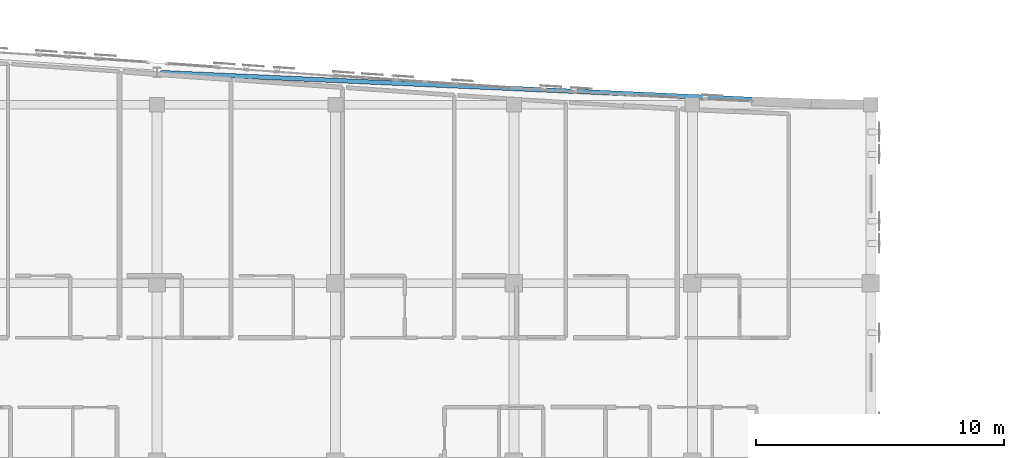
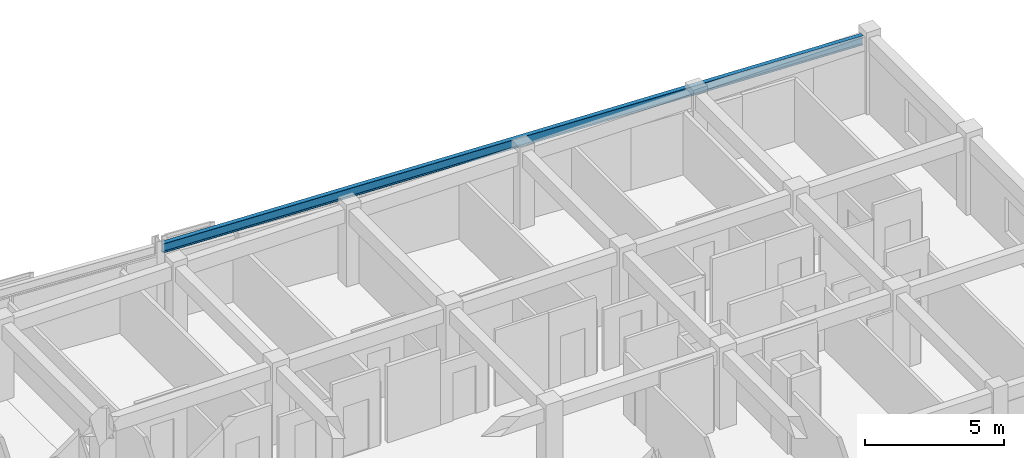
# One storey, part 29 of 50: 1 beam.
"""IFC4 building model written with IfcOpenShell, lengths in metres."""

from ifc_helpers import new_model, si_unit, direction, frame, origin, origin_2d, place, context, subcontext, project, spatial, i_section, extrude, material, material_profile, profile_set, type_object, element, save


model = new_model("IFC4")

# Units and contexts
model_context = context("Model", 3, precision=1e-05, world=origin(), true_north=direction((0.0, 1.0)))
body_context = subcontext(model_context, "Body", "Model", "MODEL_VIEW")
ifc_project = project(units=[si_unit("LENGTHUNIT", "METRE"), si_unit("AREAUNIT", "SQUARE_METRE"), si_unit("VOLUMEUNIT", "CUBIC_METRE"), si_unit("PLANEANGLEUNIT", "RADIAN"), si_unit("MASSUNIT", "GRAM", prefix="KILO")], contexts=[model_context])

# Site, building, storey
site_placement = place(None, origin())
site = spatial("IfcSite", under=ifc_project, at=site_placement, CompositionType="ELEMENT")
building_placement = place(site_placement, origin())
building = spatial("IfcBuilding", under=site, at=building_placement, Name="Carrowvane Square Congress Hotel", CompositionType="ELEMENT")
storey_placement = place(building_placement, frame((0.0, 0.0, 22.800048828125)))
storey = spatial("IfcBuildingStorey", under=building, at=storey_placement, Name="L05", CompositionType="ELEMENT", Elevation=22.800048828125)

# Beam
ifc_material = material(Name="Steel S355", Category="steel")
ifc_material_profile = material_profile(ifc_material, i_section(OverallWidth=0.1787109375, OverallDepth=0.409423828125, WebThickness=0.0087890625, FlangeThickness=0.014404296875, FilletRadius=0.01025390625, at=origin_2d()), Name="UKB 406x178x67")
ifc_profile_set = profile_set([ifc_material_profile], Name="Steel S355")
beam_type = type_object("IfcBeamType", Name="BM-ST-UKB406", PredefinedType="BEAM", material=ifc_profile_set)
beam_placement = place(storey_placement, frame((134.14990234375, 114.69921875, 3.145263671875), z_axis=(0.998973341492, -0.045301909323, 0.0), x_axis=(0.045301909323, 0.998973341492, 0.0)))
element("IfcBeam", 1, at=beam_placement, inside=storey, type_object=beam_type, Name="L06 curved north spandrel", PredefinedType="BEAM", context=body_context, shape_type="SweptSolid", body=[
    extrude(i_section(OverallWidth=0.1787109375, OverallDepth=0.409423828125, WebThickness=0.0087890625, FlangeThickness=0.014404296875, FilletRadius=0.01025390625, at=origin_2d()), origin(), (0.0, 0.0, 1.0), 28.37939453125),
])

save(model, "model.ifc")
